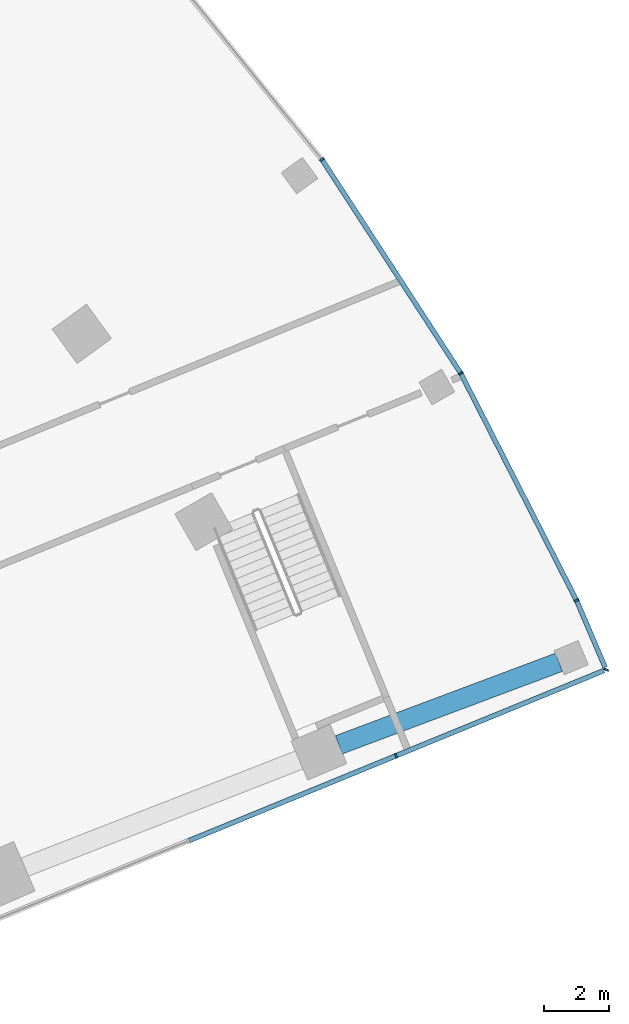
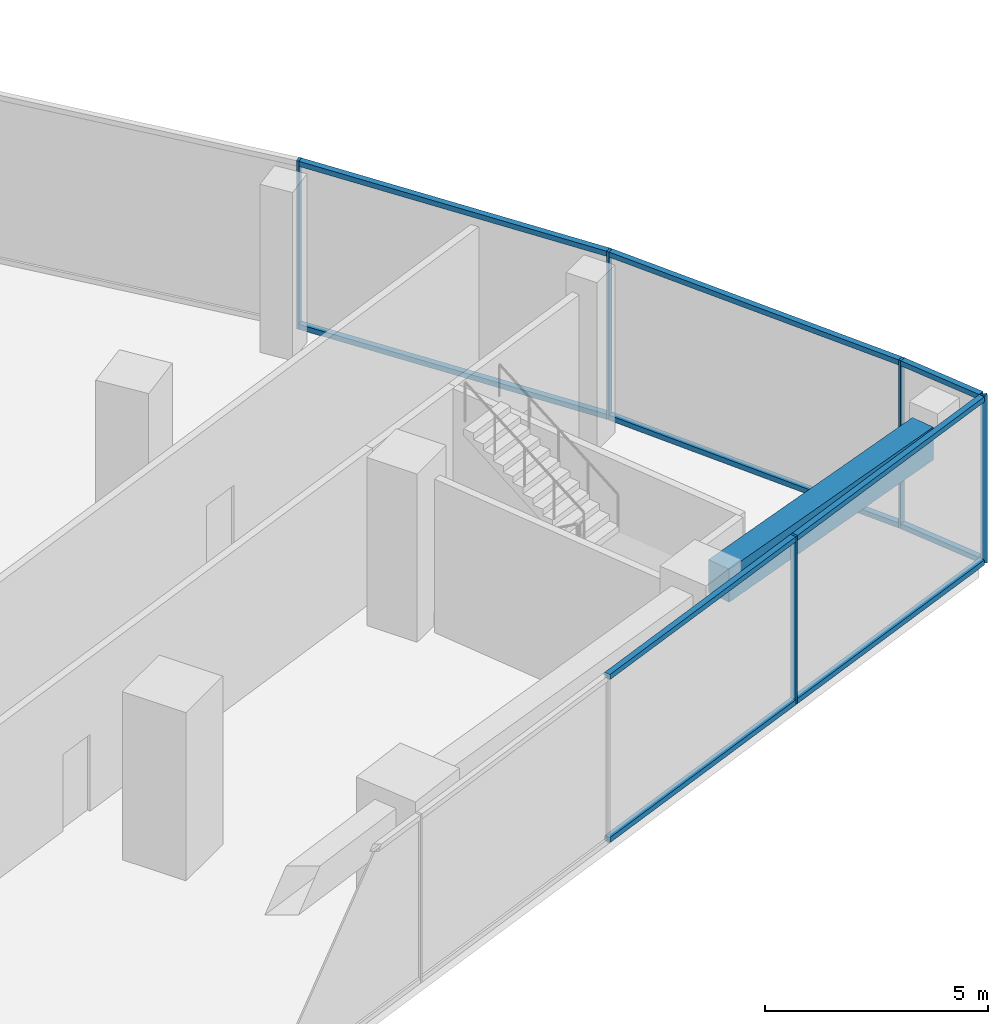
# One storey, part 16 of 40: 15 members, 1 beam, 2 elements without a shape of their own.
"""IFC4 building model written with IfcOpenShell, lengths in metres."""

from ifc_helpers import new_model, si_unit, direction, frame, origin, origin_2d, place, context, subcontext, project, spatial, rectangle, extrude, material, layer, layer_set, material_profile, profile_set, type_object, element, aggregate, save


model = new_model("IFC4")

# Units and contexts
model_context = context("Model", 3, precision=1e-05, world=origin(), true_north=direction((0.0, 1.0)))
body_context = subcontext(model_context, "Body", "Model", "MODEL_VIEW")
ifc_project = project(units=[si_unit("LENGTHUNIT", "METRE"), si_unit("AREAUNIT", "SQUARE_METRE"), si_unit("VOLUMEUNIT", "CUBIC_METRE"), si_unit("PLANEANGLEUNIT", "RADIAN"), si_unit("MASSUNIT", "GRAM", prefix="KILO")], contexts=[model_context])

# Site, building, storey
site_placement = place(None, origin())
site = spatial("IfcSite", under=ifc_project, at=site_placement, CompositionType="ELEMENT")
building_placement = place(site_placement, origin())
building = spatial("IfcBuilding", under=site, at=building_placement, Name="Stone Belt Terrace Tower", CompositionType="ELEMENT")
storey_placement = place(building_placement, frame((0.0, 0.0, 7.0)))
storey = spatial("IfcBuildingStorey", under=building, at=storey_placement, Name="L01", CompositionType="ELEMENT", Elevation=7.0)

# Curtain wall, member
ifc_material_1 = material(Name="Aluminium 6063-T6 anodised frame", Category="aluminium")
ifc_layer = layer(ifc_material_1, 0.14990234375)
ifc_layer_set = layer_set([ifc_layer], Name="CW-D podium shopfront")
curtain_wall_type = type_object("IfcCurtainWallType", Name="CW-D podium shopfront", PredefinedType="NOTDEFINED", material=ifc_layer_set)
curtain_wall_1_placement = place(storey_placement, origin())
curtain_wall_1 = element("IfcCurtainWall", 1, at=curtain_wall_1_placement, inside=storey, type_object=curtain_wall_type, Name="CW-D end face L01", PredefinedType="NOTDEFINED")
ifc_material_profile_1 = material_profile(ifc_material_1, rectangle(XDim=0.14990234375, YDim=0.06005859375, at=origin_2d()), Name="Aluminium 6063-T6 60x150")
ifc_profile_set_1 = profile_set([ifc_material_profile_1], Name="Aluminium 6063-T6 anodised frame")
member_type_1 = type_object("IfcMemberType", Name="CW-D mullion 60 x 150", PredefinedType="MULLION", material=ifc_profile_set_1)
member_1_placement = place(storey_placement, frame((62.6015625, 25.576904296875, 0.0), z_axis=(0.0, 0.0, 1.0), x_axis=(-0.379243093825, 0.925297074342, 0.0)))
member_1 = element("IfcMember", 2, at=member_1_placement, type_object=member_type_1, Name="CW-D mullion 8", PredefinedType="MULLION", context=body_context, shape_type="SweptSolid", body=[
    extrude(rectangle(XDim=0.14990234375, YDim=0.06005859375, at=origin_2d()), origin(), (0.0, 0.0, 1.0), 4.60009765625),
])

# Curtain wall, members
curtain_wall_2_placement = place(storey_placement, origin())
curtain_wall_2 = element("IfcCurtainWall", 3, at=curtain_wall_2_placement, inside=storey, type_object=curtain_wall_type, Name="CW-D convex face L01", PredefinedType="NOTDEFINED")
member_2_placement = place(storey_placement, frame((69.033447265625, 28.213134765625, 0.0), z_axis=(0.0, 0.0, 1.0), x_axis=(-0.925309719849, 0.379212239192, 0.0)))
member_2 = element("IfcMember", 4, at=member_2_placement, type_object=member_type_1, Name="CW-D mullion 1", PredefinedType="MULLION", context=body_context, shape_type="SweptSolid", body=[
    extrude(rectangle(XDim=0.14990234375, YDim=0.06005859375, at=origin_2d()), origin(), (0.0, 0.0, 1.0), 4.60009765625),
])
member_3_placement = place(storey_placement, frame((68.127197265625, 30.333740234375, 0.0), z_axis=(0.0, 0.0, 1.0), x_axis=(-0.905778201442, -0.423752108895, 0.0)))
member_3 = element("IfcMember", 5, at=member_3_placement, type_object=member_type_1, Name="CW-D mullion 2", PredefinedType="MULLION", context=body_context, shape_type="SweptSolid", body=[
    extrude(rectangle(XDim=0.14990234375, YDim=0.06005859375, at=origin_2d()), origin(), (0.0, 0.0, 1.0), 4.60009765625),
])
member_4_placement = place(storey_placement, frame((64.583984375, 37.28759765625, 0.0), z_axis=(0.0, 0.0, 1.0), x_axis=(-0.866025403784, -0.5, 0.0)))
member_4 = element("IfcMember", 6, at=member_4_placement, type_object=member_type_1, Name="CW-D mullion 3", PredefinedType="MULLION", context=body_context, shape_type="SweptSolid", body=[
    extrude(rectangle(XDim=0.14990234375, YDim=0.06005859375, at=origin_2d()), origin(), (0.0, 0.0, 1.0), 4.60009765625),
])
member_5_placement = place(storey_placement, frame((60.33251953125, 43.834228515625, 0.0), z_axis=(0.0, 0.0, 1.0), x_axis=(-0.809016994375, -0.587785252292, 0.0)))
member_5 = element("IfcMember", 7, at=member_5_placement, type_object=member_type_1, Name="CW-D mullion 4", PredefinedType="MULLION", context=body_context, shape_type="SweptSolid", body=[
    extrude(rectangle(XDim=0.14990234375, YDim=0.06005859375, at=origin_2d()), origin(), (0.0, 0.0, 1.0), 4.60009765625),
])

# Member
ifc_material_profile_2 = material_profile(ifc_material_1, rectangle(XDim=0.14990234375, YDim=0.139892578125, at=origin_2d()), Name="Aluminium 6063-T6 150x140")
ifc_profile_set_2 = profile_set([ifc_material_profile_2], Name="Aluminium 6063-T6 anodised frame")
member_type_2 = type_object("IfcMemberType", Name="CW-D transom 140 x 150", PredefinedType="USERDEFINED", material=ifc_profile_set_2)
member_6_placement = place(storey_placement, frame((56.26806640625, 22.98095703125, 0.070068359375), z_axis=(0.925300811022, 0.37923397675, 0.0), x_axis=(-0.37923397675, 0.925300811022, 0.0)))
member_6 = element("IfcMember", 8, at=member_6_placement, type_object=member_type_2, Name="CW-D transom 7.1", ObjectType="TRANSOM", PredefinedType="USERDEFINED", context=body_context, shape_type="SweptSolid", body=[
    extrude(rectangle(XDim=0.14990234375, YDim=0.139892578125, at=origin_2d()), origin(), (0.0, 0.0, 1.0), 6.81494140625),
])

member_7_placement = place(storey_placement, frame((56.26806640625, 22.98095703125, 4.530029296875), z_axis=(0.925300811022, 0.37923397675, 0.0), x_axis=(-0.37923397675, 0.925300811022, 0.0)))
member_7 = element("IfcMember", 9, at=member_7_placement, type_object=member_type_2, Name="CW-D transom 7.2", ObjectType="TRANSOM", PredefinedType="USERDEFINED", context=body_context, shape_type="SweptSolid", body=[
    extrude(rectangle(XDim=0.14990234375, YDim=0.139892578125, at=origin_2d()), origin(), (0.0, 0.0, 1.0), 6.81494140625),
])

member_8_placement = place(storey_placement, frame((62.62939453125, 25.58837890625, 0.070068359375), z_axis=(0.92530308742, 0.379228422472, 0.0), x_axis=(-0.379228422472, 0.92530308742, 0.0)))
member_8 = element("IfcMember", 10, at=member_8_placement, type_object=member_type_2, Name="CW-D transom 8.1", ObjectType="TRANSOM", PredefinedType="USERDEFINED", context=body_context, shape_type="SweptSolid", body=[
    extrude(rectangle(XDim=0.14990234375, YDim=0.139892578125, at=origin_2d()), origin(), (0.0, 0.0, 1.0), 6.8466796875),
])

member_9_placement = place(storey_placement, frame((62.62939453125, 25.58837890625, 4.530029296875), z_axis=(0.92530308742, 0.379228422472, 0.0), x_axis=(-0.379228422472, 0.92530308742, 0.0)))
member_9 = element("IfcMember", 11, at=member_9_placement, type_object=member_type_2, Name="CW-D transom 8.2", ObjectType="TRANSOM", PredefinedType="USERDEFINED", context=body_context, shape_type="SweptSolid", body=[
    extrude(rectangle(XDim=0.14990234375, YDim=0.139892578125, at=origin_2d()), origin(), (0.0, 0.0, 1.0), 6.8466796875),
])

aggregate(curtain_wall_1, [member_1, member_6, member_7, member_8, member_9])

member_10_placement = place(storey_placement, frame((69.004150390625, 28.281494140625, 0.070068359375), z_axis=(-0.39299460879, 0.919540775312, 0.0), x_axis=(-0.919540775312, -0.39299460879, 0.0)))
member_10 = element("IfcMember", 12, at=member_10_placement, type_object=member_type_2, Name="CW-D transom 1.1", ObjectType="TRANSOM", PredefinedType="USERDEFINED", context=body_context, shape_type="SweptSolid", body=[
    extrude(rectangle(XDim=0.14990234375, YDim=0.139892578125, at=origin_2d()), origin(), (0.0, 0.0, 1.0), 2.19921875),
])

member_11_placement = place(storey_placement, frame((69.004150390625, 28.281494140625, 4.530029296875), z_axis=(-0.39299460879, 0.919540775312, 0.0), x_axis=(-0.919540775312, -0.39299460879, 0.0)))
member_11 = element("IfcMember", 13, at=member_11_placement, type_object=member_type_2, Name="CW-D transom 1.2", ObjectType="TRANSOM", PredefinedType="USERDEFINED", context=body_context, shape_type="SweptSolid", body=[
    extrude(rectangle(XDim=0.14990234375, YDim=0.139892578125, at=origin_2d()), origin(), (0.0, 0.0, 1.0), 2.19921875),
])

member_12_placement = place(storey_placement, frame((68.1123046875, 30.362548828125, 0.070068359375), z_axis=(-0.453977770034, 0.891013010183, 0.0), x_axis=(-0.891013010183, -0.453977770034, 0.0)))
member_12 = element("IfcMember", 14, at=member_12_placement, type_object=member_type_2, Name="CW-D transom 2.1", ObjectType="TRANSOM", PredefinedType="USERDEFINED", context=body_context, shape_type="SweptSolid", body=[
    extrude(rectangle(XDim=0.14990234375, YDim=0.139892578125, at=origin_2d()), origin(), (0.0, 0.0, 1.0), 7.738037109375),
])

member_13_placement = place(storey_placement, frame((68.1123046875, 30.362548828125, 4.530029296875), z_axis=(-0.453977770034, 0.891013010183, 0.0), x_axis=(-0.891013010183, -0.453977770034, 0.0)))
member_13 = element("IfcMember", 15, at=member_13_placement, type_object=member_type_2, Name="CW-D transom 2.2", ObjectType="TRANSOM", PredefinedType="USERDEFINED", context=body_context, shape_type="SweptSolid", body=[
    extrude(rectangle(XDim=0.14990234375, YDim=0.139892578125, at=origin_2d()), origin(), (0.0, 0.0, 1.0), 7.738037109375),
])

member_14_placement = place(storey_placement, frame((64.5654296875, 37.31591796875, 0.070068359375), z_axis=(-0.54462677088, 0.83867853224, 0.0), x_axis=(-0.83867853224, -0.54462677088, 0.0)))
member_14 = element("IfcMember", 16, at=member_14_placement, type_object=member_type_2, Name="CW-D transom 3.1", ObjectType="TRANSOM", PredefinedType="USERDEFINED", context=body_context, shape_type="SweptSolid", body=[
    extrude(rectangle(XDim=0.14990234375, YDim=0.139892578125, at=origin_2d()), origin(), (0.0, 0.0, 1.0), 7.738037109375),
])

member_15_placement = place(storey_placement, frame((64.5654296875, 37.31591796875, 4.530029296875), z_axis=(-0.54462677088, 0.83867853224, 0.0), x_axis=(-0.83867853224, -0.54462677088, 0.0)))
member_15 = element("IfcMember", 17, at=member_15_placement, type_object=member_type_2, Name="CW-D transom 3.2", ObjectType="TRANSOM", PredefinedType="USERDEFINED", context=body_context, shape_type="SweptSolid", body=[
    extrude(rectangle(XDim=0.14990234375, YDim=0.139892578125, at=origin_2d()), origin(), (0.0, 0.0, 1.0), 7.738037109375),
])

aggregate(curtain_wall_2, [member_2, member_3, member_4, member_5, member_10, member_11, member_12, member_13, member_14, member_15])

# Beam
ifc_material_2 = material(Name="Concrete B60", Category="concrete")
ifc_material_profile_3 = material_profile(ifc_material_2, rectangle(XDim=0.60009765625, YDim=0.89990234375, at=origin_2d()), Name="RC 600x900")
ifc_profile_set_3 = profile_set([ifc_material_profile_3], Name="Concrete B60")
beam_type = type_object("IfcBeamType", Name="Edge beam RC 600x900 B60", PredefinedType="SPANDREL", material=ifc_profile_set_3)
beam_placement = place(storey_placement, frame((60.85107421875, 25.913330078125, 3.75), z_axis=(0.936357063025, 0.351049071389, 0.0), x_axis=(-0.351049071389, 0.936357063025, 0.0)))
element("IfcBeam", 18, at=beam_placement, inside=storey, type_object=beam_type, Name="Edge beam L01 B R to S", PredefinedType="SPANDREL", context=body_context, shape_type="SweptSolid", body=[
    extrude(rectangle(XDim=0.60009765625, YDim=0.89990234375, at=origin_2d()), origin(), (0.0, 0.0, 1.0), 7.1953125),
])

save(model, "model.ifc")
